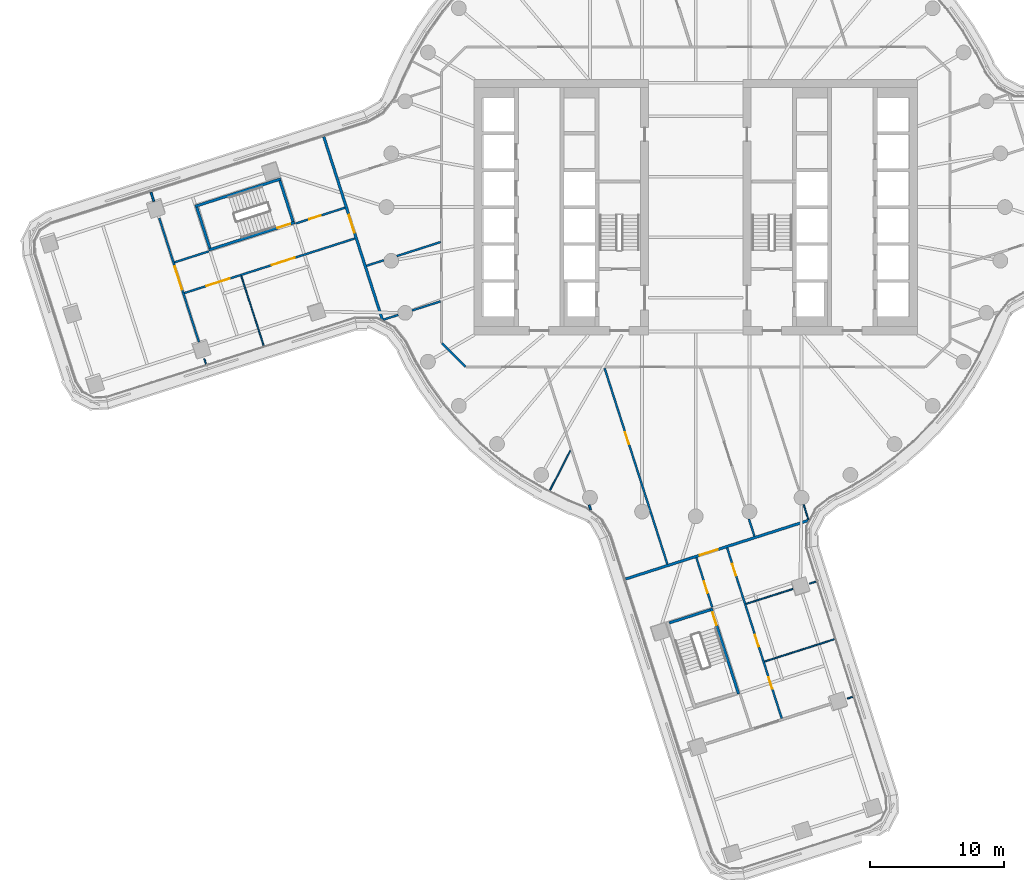
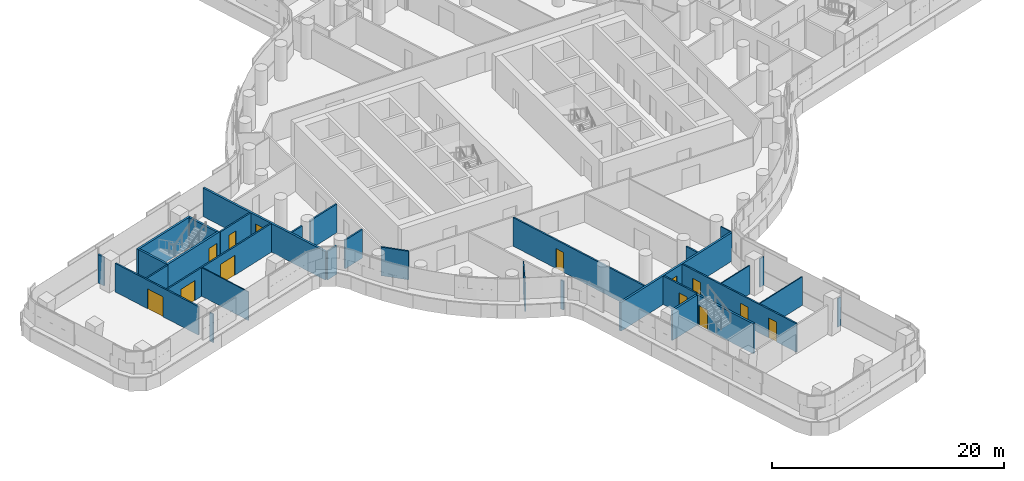
# One storey, part 18 of 30: 31 walls, 13 doors, 13 openings.
"""IFC4 building model written with IfcOpenShell, lengths in metres."""

import ifcopenshell
import ifcopenshell.guid

model = None  # the IFC model being written
_history = None  # IfcOwnerHistory: only IFC2X3 demands one
_inside = {}  # id of a spatial element -> (the spatial element, [elements in it])
_under = {}  # id of a project, library or spatial element -> (it, [spatial elements below it])
_declared = {}  # id of a project -> (the project, [libraries it declares])
_typed = {}  # id of a type object -> (the type object, [elements of that type])
_made_of = {}  # id of a material, layer set ... -> (it, [elements and type objects made of it])


def new_model(schema):
    """Start an empty IFC model of exactly this schema.

    Asked for "IFC4X3", IfcOpenShell would pick the latest addendum, in which some entities
    have other attributes; the version numbers below select the first issue.
    IFC2X3 requires an IfcOwnerHistory on every rooted entity: one is made here for all.
    """
    global model, _history
    if schema == "IFC4X3":
        model = ifcopenshell.file(schema_version=(4, 3, 0, 0))
    else:
        model = ifcopenshell.file(schema=schema)
    _inside.clear()
    _under.clear()
    _declared.clear()
    _typed.clear()
    _made_of.clear()
    _history = None
    if model.schema == "IFC2X3":
        org = make("IfcOrganization", Name="unknown")
        user = make(
            "IfcPersonAndOrganization",
            ThePerson=make("IfcPerson", FamilyName="unknown"),
            TheOrganization=org,
        )
        app = make(
            "IfcApplication",
            ApplicationDeveloper=org,
            Version="unknown",
            ApplicationFullName="unknown",
            ApplicationIdentifier="unknown",
        )
        _history = make(
            "IfcOwnerHistory",
            OwningUser=user,
            OwningApplication=app,
            ChangeAction="ADDED",
            CreationDate=0,
        )
    return model


def make(cls, **values):
    """One entity of the class cls with the attributes given. An attribute that is None is left unset."""
    return model.create_entity(
        cls, **{name: value for name, value in values.items() if value is not None}
    )


def rooted(cls, **values):
    """An entity with a GlobalId (a new one), such as an element, a storey or a relation."""
    return make(cls, GlobalId=ifcopenshell.guid.new(), OwnerHistory=_history, **values)


def si_unit(unit_type, name, prefix=None):
    """IfcSIUnit, for example si_unit("LENGTHUNIT", "METRE", prefix="MILLI")."""
    return make("IfcSIUnit", UnitType=unit_type, Prefix=prefix, Name=name)


def assignment(units):
    """IfcUnitAssignment: the units of a project."""
    return None if units is None else make("IfcUnitAssignment", Units=units)


def point(xyz):
    """IfcCartesianPoint."""
    return None if xyz is None else make("IfcCartesianPoint", Coordinates=xyz)


def direction(xyz):
    """IfcDirection."""
    return None if xyz is None else make("IfcDirection", DirectionRatios=xyz)


def frame(location, z_axis=None, x_axis=None):
    """IfcAxis2Placement3D, a coordinate frame: its origin and axes. An axis left out is left unset."""
    return make(
        "IfcAxis2Placement3D",
        Location=point(location),
        Axis=direction(z_axis),
        RefDirection=direction(x_axis),
    )


def frame_2d(location, x_axis=None):
    """IfcAxis2Placement2D, a coordinate frame in the plane: its origin and x axis."""
    return make(
        "IfcAxis2Placement2D", Location=point(location), RefDirection=direction(x_axis)
    )


def origin():
    """The frame at (0, 0, 0) with its axes left unset."""
    return frame((0.0, 0.0, 0.0))


def place(relative_to, where):
    """IfcLocalPlacement: puts the frame where relative to a parent placement (None: the world)."""
    return make(
        "IfcLocalPlacement", PlacementRelTo=relative_to, RelativePlacement=where
    )


def context(
    kind, dimensions, precision=None, world=None, true_north=None, identifier=None
):
    """IfcGeometricRepresentationContext, for example the 3D "Model" context."""
    return make(
        "IfcGeometricRepresentationContext",
        ContextIdentifier=identifier,
        ContextType=kind,
        CoordinateSpaceDimension=dimensions,
        Precision=precision,
        WorldCoordinateSystem=world,
        TrueNorth=true_north,
    )


def subcontext(parent, identifier, kind, view, scale=None):
    """IfcGeometricRepresentationSubContext, for example "Body" below "Model"."""
    return make(
        "IfcGeometricRepresentationSubContext",
        ContextIdentifier=identifier,
        ContextType=kind,
        ParentContext=parent,
        TargetScale=scale,
        TargetView=view,
    )


def project(units=None, contexts=None):
    """IfcProject with its units and contexts."""
    return rooted(
        "IfcProject",
        Name="project",
        RepresentationContexts=contexts,
        UnitsInContext=assignment(units),
    )


def spatial(cls, under=None, at=None, **own):
    """A site, building, storey or space (cls), placed at a placement, below another one or the project."""
    s = rooted(cls, ObjectPlacement=at, **own)
    if under is not None:
        _under.setdefault(under.id(), (under, []))[1].append(s)
    return s


def polyline(points):
    """IfcPolyline through the points."""
    return make("IfcPolyline", Points=[point(p) for p in points])


def profile(cls, at=None, kind="AREA", **sizes):
    """A parametric profile (cls). Its sizes go by their IFC names, for example OverallWidth=200.0."""
    return make(cls, ProfileType=kind, Position=at, **sizes)


def rectangle(**sizes):
    """IfcRectangleProfileDef."""
    return profile("IfcRectangleProfileDef", **sizes)


def outline(outer, holes=None, kind="AREA"):
    """IfcArbitraryClosedProfileDef: a profile drawn as a closed curve; with holes, ...WithVoids."""
    if holes is None:
        return make("IfcArbitraryClosedProfileDef", ProfileType=kind, OuterCurve=outer)
    return make(
        "IfcArbitraryProfileDefWithVoids",
        ProfileType=kind,
        OuterCurve=outer,
        InnerCurves=holes,
    )


def extrude(swept, where, along, depth):
    """IfcExtrudedAreaSolid: the profile swept, set in the frame where, extruded along a direction by depth."""
    return make(
        "IfcExtrudedAreaSolid",
        SweptArea=swept,
        Position=where,
        ExtrudedDirection=direction(along),
        Depth=depth,
    )


def shape(context_of_items, identifier, shape_type, items):
    """IfcShapeRepresentation: the items that make up one representation, for example the "Body"."""
    return make(
        "IfcShapeRepresentation",
        ContextOfItems=context_of_items,
        RepresentationIdentifier=identifier,
        RepresentationType=shape_type,
        Items=items,
    )


def material(Name=None, Category=None):
    """IfcMaterial."""
    return make("IfcMaterial", Name=Name, Category=Category)


def layer(
    of_material, thickness, ventilated=None, Name=None, Category=None, Priority=None
):
    """IfcMaterialLayer: one layer of a wall or slab, of a material (None: an air gap)."""
    return make(
        "IfcMaterialLayer",
        Material=of_material,
        LayerThickness=thickness,
        IsVentilated=ventilated,
        Name=Name,
        Category=Category,
        Priority=Priority,
    )


def layer_set(layers, Name=None):
    """IfcMaterialLayerSet."""
    return make("IfcMaterialLayerSet", MaterialLayers=layers, LayerSetName=Name)


def made_of(thing, what):
    """Note that an element or type object is made of a material, layer set ...; save() writes the relation."""
    if what is not None:
        _made_of.setdefault(what.id(), (what, []))[1].append(thing)
    return thing


def type_object(cls, material=None, **own):
    """A type object (cls), such as IfcWallType, which elements share."""
    return made_of(rooted(cls, **own), material)


def element(
    cls,
    number,
    at=None,
    inside=None,
    cuts=None,
    type_object=None,
    material=None,
    context=None,
    identifier="Body",
    shape_type=None,
    held_by="IfcProductDefinitionShape",
    body=None,
    shapes=None,
    **own,
):
    """One element of the class cls, such as IfcWall. Its Tag is "e" and its number.

    at: its placement. inside: the storey or other place that contains it. cuts: it is an
    opening in that element (IfcRelVoidsElement). A single representation is given by context,
    identifier, shape_type and body (its items); several are given by shapes. held_by: the class
    of the entity that holds the representations. save() writes the other relations.
    """
    e = rooted(cls, Tag="e%d" % number, ObjectPlacement=at, **own)
    if body is not None:
        shapes = [shape(context, identifier, shape_type, body)]
    if shapes is not None:
        e.Representation = make(held_by, Representations=shapes)
    if inside is not None:
        _inside.setdefault(inside.id(), (inside, []))[1].append(e)
    if cuts is not None:
        rooted(
            "IfcRelVoidsElement", RelatingBuildingElement=cuts, RelatedOpeningElement=e
        )
    if type_object is not None:
        _typed.setdefault(type_object.id(), (type_object, []))[1].append(e)
    return made_of(e, material)


def fill(opening, filler):
    """IfcRelFillsElement: the door or window that sits in an opening."""
    return rooted(
        "IfcRelFillsElement",
        RelatingOpeningElement=opening,
        RelatedBuildingElement=filler,
    )


def aggregate(whole, parts):
    """IfcRelAggregates: a whole, such as a stair, and the parts it consists of."""
    return rooted("IfcRelAggregates", RelatingObject=whole, RelatedObjects=parts)


def save(model, path):
    """Write the relations noted so far, then the file.

    IfcRelAggregates (storeys below a building ...), IfcRelContainedInSpatialStructure (elements
    in a storey), IfcRelDefinesByType, IfcRelAssociatesMaterial and IfcRelDeclares: one each for
    every whole, place, type object, material and project.
    """
    for whole, parts in _under.values():
        aggregate(whole, parts)
    for where, things in _inside.values():
        rooted(
            "IfcRelContainedInSpatialStructure",
            RelatedElements=things,
            RelatingStructure=where,
        )
    for kind, things in _typed.values():
        rooted("IfcRelDefinesByType", RelatedObjects=things, RelatingType=kind)
    for what, things in _made_of.values():
        rooted("IfcRelAssociatesMaterial", RelatedObjects=things, RelatingMaterial=what)
    for by, libraries in _declared.values():
        rooted("IfcRelDeclares", RelatingContext=by, RelatedDefinitions=libraries)
    model.write(path)


model = new_model("IFC4")

# Units and contexts
model_context = context("Model", 3, precision=1e-05, world=origin(), true_north=direction((0.0, 1.0)))
body_context = subcontext(model_context, "Body", "Model", "MODEL_VIEW")
ifc_project = project(units=[si_unit("LENGTHUNIT", "METRE"), si_unit("AREAUNIT", "SQUARE_METRE"), si_unit("VOLUMEUNIT", "CUBIC_METRE"), si_unit("PLANEANGLEUNIT", "RADIAN"), si_unit("MASSUNIT", "GRAM", prefix="KILO")], contexts=[model_context])

# Site, building, storey
site_placement = place(None, origin())
site = spatial("IfcSite", under=ifc_project, at=site_placement, CompositionType="ELEMENT")
building_placement = place(site_placement, origin())
building = spatial("IfcBuilding", under=site, at=building_placement, Name="Tamarind Cross Interchange Tower", CompositionType="ELEMENT")
storey_placement = place(building_placement, frame((0.0, 0.0, 98.5)))
storey = spatial("IfcBuildingStorey", under=building, at=storey_placement, Name="L23", CompositionType="ELEMENT", Elevation=98.5)

# Walls
ifc_material_1 = material(Name="Gypsum board partition on steel studs", Category="steel")
ifc_layer_1 = layer(ifc_material_1, 0.10009765625)
ifc_layer_set_1 = layer_set([ifc_layer_1], Name="Gypsum board partition on steel studs")
wall_type_1 = type_object("IfcWallType", Name="Partition 100 mm EI 90", PredefinedType="PARTITIONING", material=ifc_layer_set_1)
wall_1_placement = place(storey_placement, frame((-36.552734375, -11.27978515625, 0.0), z_axis=(0.0, 0.0, 1.0), x_axis=(0.305427554359, -0.952215316532, 0.0)))
element("IfcWall", 1, at=wall_1_placement, inside=storey, type_object=wall_type_1, Name="Partition L23-003", PredefinedType="PARTITIONING", context=body_context, shape_type="SweptSolid", body=[
    extrude(rectangle(XDim=0.40771484375, YDim=0.10009765625, at=frame_2d((0.203857421875, 0.0))), origin(), (0.0, 0.0, 1.0), 3.010009765625),
])
wall_2_placement = place(storey_placement, frame((-33.801025390625, -5.119384765625, 0.0), z_axis=(0.0, 0.0, 1.0), x_axis=(0.30504758376, -0.952337110294, 0.0)))
element("IfcWall", 2, at=wall_2_placement, inside=storey, type_object=wall_type_1, Name="Partition L23-004", PredefinedType="PARTITIONING", context=body_context, shape_type="SweptSolid", body=[
    extrude(rectangle(XDim=5.44140625, YDim=0.10009765625, at=frame_2d((2.720703125, 0.0))), origin(), (0.0, 0.0, 1.0), 3.010009765625),
])
wall_3_placement = place(storey_placement, frame((8.02197265625, -22.131103515625, 0.0), z_axis=(0.0, 0.0, 1.0), x_axis=(0.305122152519, -0.952313221604, 0.0)))
element("IfcWall", 3, at=wall_3_placement, inside=storey, type_object=wall_type_1, Name="Partition L23-025", PredefinedType="PARTITIONING", context=body_context, shape_type="SweptSolid", body=[
    extrude(rectangle(XDim=1.17626953125, YDim=0.10009765625, at=frame_2d((0.588134765625, 0.0))), origin(), (0.0, 0.0, 1.0), 3.010009765625),
])
wall_4_placement = place(storey_placement, frame((11.27978515625, -36.552734375, 0.0), z_axis=(0.0, 0.0, 1.0), x_axis=(0.952215316532, 0.305427554359, 0.0)))
element("IfcWall", 4, at=wall_4_placement, inside=storey, type_object=wall_type_1, Name="Partition L23-063", PredefinedType="PARTITIONING", context=body_context, shape_type="SweptSolid", body=[
    extrude(rectangle(XDim=0.40771484375, YDim=0.10009765625, at=frame_2d((0.203857421875, 0.0))), origin(), (0.0, 0.0, 1.0), 3.010009765625),
])
wall_5_placement = place(storey_placement, frame((3.746337890625, -29.51513671875, 0.0), z_axis=(0.0, 0.0, 1.0), x_axis=(0.952337113956, 0.305047572326, 0.0)))
element("IfcWall", 5, at=wall_5_placement, inside=storey, type_object=wall_type_1, Name="Partition L23-065", PredefinedType="PARTITIONING", context=body_context, shape_type="SweptSolid", body=[
    extrude(rectangle(XDim=3.6494140625, YDim=0.10009765625, at=frame_2d((1.82470703125, 0.0))), origin(), (0.0, 0.0, 1.0), 3.010009765625),
])
wall_6_placement = place(storey_placement, frame((8.4560546875, -28.006591796875, 0.0), z_axis=(0.0, 0.0, 1.0), x_axis=(0.952497435908, 0.304546604954, 0.0)))
element("IfcWall", 6, at=wall_6_placement, inside=storey, type_object=wall_type_1, Name="Partition L23-066", PredefinedType="PARTITIONING", context=body_context, shape_type="SweptSolid", body=[
    extrude(rectangle(XDim=0.502685546875, YDim=0.10009765625, at=frame_2d((0.25146484375, 0.0))), origin(), (0.0, 0.0, 1.0), 3.010009765625),
])
wall_7_placement = place(storey_placement, frame((5.119384765625, -33.801025390625, 0.0), z_axis=(0.0, 0.0, 1.0), x_axis=(0.952337110294, 0.30504758376, 0.0)))
element("IfcWall", 7, at=wall_7_placement, inside=storey, type_object=wall_type_1, Name="Partition L23-067", PredefinedType="PARTITIONING", context=body_context, shape_type="SweptSolid", body=[
    extrude(rectangle(XDim=5.44140625, YDim=0.10009765625, at=frame_2d((2.720703125, 0.0))), origin(), (0.0, 0.0, 1.0), 3.010009765625),
])
wall_8_placement = place(storey_placement, frame((-10.83837890625, -21.055908203125, 0.0), z_axis=(0.0, 0.0, 1.0), x_axis=(0.457634850464, 0.889140227209, 0.0)))
element("IfcWall", 8, at=wall_8_placement, inside=storey, type_object=wall_type_1, Name="Partition L23-080", PredefinedType="PARTITIONING", context=body_context, shape_type="SweptSolid", body=[
    extrude(rectangle(XDim=3.3076171875, YDim=0.10009765625, at=frame_2d((1.65380859375, 0.0))), origin(), (0.0, 0.0, 1.0), 3.010009765625),
])
ifc_layer_2 = layer(ifc_material_1, 0.14990234375)
ifc_layer_set_2 = layer_set([ifc_layer_2], Name="Gypsum board partition on steel studs")
wall_type_2 = type_object("IfcWallType", Name="Partition 150 mm EI 120", PredefinedType="PARTITIONING", material=ifc_layer_set_2)
wall_9_placement = place(storey_placement, frame((-40.518798828125, 1.102294921875, 0.0), z_axis=(0.0, 0.0, 1.0), x_axis=(0.304987336191, -0.952356406375, 0.0)))
element("IfcWall", 9, at=wall_9_placement, inside=storey, type_object=wall_type_2, Name="Partition L23-001", PredefinedType="PARTITIONING", context=body_context, shape_type="SweptSolid", body=[
    extrude(rectangle(XDim=0.711669921875, YDim=0.14990234375, at=frame_2d((0.35595703125, 0.0))), origin(), (0.0, 0.0, 1.0), 3.010009765625),
])

# Wall, opening, door
wall_10_placement = place(storey_placement, frame((-39.906494140625, -0.8095703125, 0.0), z_axis=(0.0, 0.0, 1.0), x_axis=(0.305051562445, -0.952335835853, 0.0)))
wall_10 = element("IfcWall", 10, at=wall_10_placement, inside=storey, type_object=wall_type_2, Name="Partition L23-002", PredefinedType="PARTITIONING", context=body_context, shape_type="SweptSolid", body=[
    extrude(rectangle(XDim=9.6982421875, YDim=0.14990234375, at=frame_2d((4.84912109375, 0.0))), origin(), (0.0, 0.0, 1.0), 3.010009765625),
])
opening_1_placement = place(wall_10_placement, frame((3.7919921875, 0.0, 0.0)))
opening_1 = element("IfcOpeningElement", 11, at=opening_1_placement, cuts=wall_10, Name="Opening D01", PredefinedType="OPENING", context=body_context, shape_type="SweptSolid", body=[
    extrude(rectangle(XDim=1.800048828125, YDim=2.10009765625, at=frame_2d((0.89990234375, 1.050048828125))), frame((0.0, 0.0849609375, 0.0), z_axis=(0.0, -1.0, 0.0), x_axis=(1.0, 0.0, 0.0)), (0.0, 0.0, 1.0), 0.169921875),
])
ifc_material_2 = material(Name="Fire-resisting door set")
door_type_1 = type_object("IfcDoorType", Name="Interior door 1800 x 2100 FD60S", OperationType="DOUBLE_DOOR_SINGLE_SWING", PredefinedType="DOOR", material=ifc_material_2)
door_1_placement = place(opening_1_placement, origin())
door_1 = element("IfcDoor", 12, at=door_1_placement, inside=storey, type_object=door_type_1, Name="Door D01", OperationType="DOUBLE_DOOR_SINGLE_SWING", OverallHeight=2.10009765625, OverallWidth=1.800048828125, PredefinedType="DOOR", context=body_context, shape_type="SweptSolid", body=[
    extrude(rectangle(XDim=1.800048828125, YDim=2.10009765625, at=frame_2d((0.89990234375, 1.050048828125))), frame((0.0, 0.02490234375, 0.0), z_axis=(0.0, -1.0, 0.0), x_axis=(1.0, 0.0, 0.0)), (0.0, 0.0, 1.0), 0.050048828125),
])
fill(opening_1, door_1)

# Wall
wall_11_placement = place(storey_placement, frame((-7.9296875, -22.156005859375, 0.0), z_axis=(0.0, 0.0, 1.0), x_axis=(0.305059532123, -0.952333282974, 0.0)))
element("IfcWall", 13, at=wall_11_placement, inside=storey, type_object=wall_type_2, Name="Partition L23-007", PredefinedType="PARTITIONING", context=body_context, shape_type="SweptSolid", body=[
    extrude(rectangle(XDim=0.37451171875, YDim=0.14990234375, at=frame_2d((0.187255859375, 0.0))), origin(), (0.0, 0.0, 1.0), 3.010009765625),
])

# Wall, opening, door
wall_12_placement = place(storey_placement, frame((-6.779052734375, -11.98095703125, 0.0), z_axis=(0.0, 0.0, 1.0), x_axis=(0.305006015104, -0.952350424345, 0.0)))
wall_12 = element("IfcWall", 14, at=wall_12_placement, inside=storey, type_object=wall_type_2, Name="Partition L23-011", PredefinedType="PARTITIONING", context=body_context, shape_type="SweptSolid", body=[
    extrude(rectangle(XDim=15.309326171875, YDim=0.14990234375, at=frame_2d((7.65478515625, 0.0))), origin(), (0.0, 0.0, 1.0), 3.010009765625),
])
opening_2_placement = place(wall_12_placement, frame((5.014892578125, 0.0, 0.0)))
opening_2 = element("IfcOpeningElement", 15, at=opening_2_placement, cuts=wall_12, Name="Opening D03", PredefinedType="OPENING", context=body_context, shape_type="SweptSolid", body=[
    extrude(rectangle(XDim=0.89990234375, YDim=2.10009765625, at=frame_2d((0.449951171875, 1.050048828125))), frame((0.0, 0.0849609375, 0.0), z_axis=(0.0, -1.0, 0.0), x_axis=(1.0, 0.0, 0.0)), (0.0, 0.0, 1.0), 0.169921875),
])
door_type_2 = type_object("IfcDoorType", Name="Interior door 900 x 2100 FD60S", OperationType="SINGLE_SWING_LEFT", PredefinedType="DOOR", material=ifc_material_2)
door_2_placement = place(opening_2_placement, frame((0.89990234375, 0.0, 0.0), z_axis=(0.0, 0.0, 1.0), x_axis=(-1.0, 0.0, 0.0)))
door_2 = element("IfcDoor", 16, at=door_2_placement, inside=storey, type_object=door_type_2, Name="Door D03", OperationType="SINGLE_SWING_LEFT", OverallHeight=2.10009765625, OverallWidth=0.89990234375, PredefinedType="DOOR", context=body_context, shape_type="SweptSolid", body=[
    extrude(rectangle(XDim=0.89990234375, YDim=2.10009765625, at=frame_2d((0.449951171875, 1.050048828125))), frame((0.0, 0.02490234375, 0.0), z_axis=(0.0, -1.0, 0.0), x_axis=(1.0, 0.0, 0.0)), (0.0, 0.0, 1.0), 0.050048828125),
])
fill(opening_2, door_2)

wall_13_placement = place(storey_placement, frame((0.04638671875, -26.080078125, 0.0), z_axis=(0.0, 0.0, 1.0), x_axis=(0.305259855227, -0.952269090534, 0.0)))
wall_13 = element("IfcWall", 17, at=wall_13_placement, inside=storey, type_object=wall_type_2, Name="Partition L23-017", PredefinedType="PARTITIONING", context=body_context, shape_type="SweptSolid", body=[
    extrude(rectangle(XDim=3.860595703125, YDim=0.14990234375, at=frame_2d((1.93017578125, 0.0))), origin(), (0.0, 0.0, 1.0), 3.010009765625),
])
opening_3_placement = place(wall_13_placement, frame((1.85009765625, 0.0, 0.0)))
opening_3 = element("IfcOpeningElement", 18, at=opening_3_placement, cuts=wall_13, Name="Opening D10", PredefinedType="OPENING", context=body_context, shape_type="SweptSolid", body=[
    extrude(rectangle(XDim=0.89990234375, YDim=2.10009765625, at=frame_2d((0.449951171875, 1.050048828125))), frame((0.0, 0.0849609375, 0.0), z_axis=(0.0, -1.0, 0.0), x_axis=(1.0, 0.0, 0.0)), (0.0, 0.0, 1.0), 0.169921875),
])
door_3_placement = place(opening_3_placement, frame((0.89990234375, 0.0, 0.0), z_axis=(0.0, 0.0, 1.0), x_axis=(-1.0, 0.0, 0.0)))
door_3 = element("IfcDoor", 19, at=door_3_placement, inside=storey, type_object=door_type_2, Name="Door D10", OperationType="SINGLE_SWING_RIGHT", OverallHeight=2.10009765625, OverallWidth=0.89990234375, PredefinedType="DOOR", context=body_context, shape_type="SweptSolid", body=[
    extrude(rectangle(XDim=0.89990234375, YDim=2.10009765625, at=frame_2d((0.449951171875, 1.050048828125))), frame((0.0, 0.02490234375, 0.0), z_axis=(0.0, -1.0, 0.0), x_axis=(1.0, 0.0, 0.0)), (0.0, 0.0, 1.0), 0.050048828125),
])
fill(opening_3, door_3)

# Wall
wall_14_placement = place(storey_placement, frame((3.954345703125, -23.199951171875, 0.0), z_axis=(0.0, 0.0, 1.0), x_axis=(0.305052101586, -0.952335663156, 0.0)))
element("IfcWall", 20, at=wall_14_placement, inside=storey, type_object=wall_type_2, Name="Partition L23-020", PredefinedType="PARTITIONING", context=body_context, shape_type="SweptSolid", body=[
    extrude(rectangle(XDim=1.34619140625, YDim=0.14990234375, at=frame_2d((0.673095703125, 0.0))), origin(), (0.0, 0.0, 1.0), 3.010009765625),
])

# Wall, openings, doors
wall_15_placement = place(storey_placement, frame((2.33251953125, -25.34814453125, 0.0), z_axis=(0.0, 0.0, 1.0), x_axis=(0.305052946546, -0.952335392498, 0.0)))
wall_15 = element("IfcWall", 21, at=wall_15_placement, inside=storey, type_object=wall_type_2, Name="Partition L23-022", PredefinedType="PARTITIONING", context=body_context, shape_type="SweptSolid", body=[
    extrude(rectangle(XDim=13.324462890625, YDim=0.14990234375, at=frame_2d((6.662109375, 0.0))), origin(), (0.0, 0.0, 1.0), 3.010009765625),
])
opening_4_placement = place(wall_15_placement, frame((1.25, 0.0, 0.0)))
opening_4 = element("IfcOpeningElement", 22, at=opening_4_placement, cuts=wall_15, Name="Opening D13", PredefinedType="OPENING", context=body_context, shape_type="SweptSolid", body=[
    extrude(rectangle(XDim=0.89990234375, YDim=2.10009765625, at=frame_2d((0.449951171875, 1.050048828125))), frame((0.0, 0.0849609375, 0.0), z_axis=(0.0, -1.0, 0.0), x_axis=(1.0, 0.0, 0.0)), (0.0, 0.0, 1.0), 0.169921875),
])
opening_5_placement = place(wall_15_placement, frame((6.799560546875, 0.0, 0.0)))
opening_5 = element("IfcOpeningElement", 23, at=opening_5_placement, cuts=wall_15, Name="Opening D14", PredefinedType="OPENING", context=body_context, shape_type="SweptSolid", body=[
    extrude(rectangle(XDim=0.89990234375, YDim=2.10009765625, at=frame_2d((0.449951171875, 1.050048828125))), frame((0.0, 0.0849609375, 0.0), z_axis=(0.0, -1.0, 0.0), x_axis=(1.0, 0.0, 0.0)), (0.0, 0.0, 1.0), 0.169921875),
])
opening_6_placement = place(wall_15_placement, frame((10.10009765625, 0.0, 0.0)))
opening_6 = element("IfcOpeningElement", 24, at=opening_6_placement, cuts=wall_15, Name="Opening D15", PredefinedType="OPENING", context=body_context, shape_type="SweptSolid", body=[
    extrude(rectangle(XDim=0.89990234375, YDim=2.10009765625, at=frame_2d((0.449951171875, 1.050048828125))), frame((0.0, 0.0849609375, 0.0), z_axis=(0.0, -1.0, 0.0), x_axis=(1.0, 0.0, 0.0)), (0.0, 0.0, 1.0), 0.169921875),
])
door_4_placement = place(opening_4_placement, origin())
door_4 = element("IfcDoor", 25, at=door_4_placement, inside=storey, type_object=door_type_2, Name="Door D13", OperationType="SINGLE_SWING_RIGHT", OverallHeight=2.10009765625, OverallWidth=0.89990234375, PredefinedType="DOOR", context=body_context, shape_type="SweptSolid", body=[
    extrude(rectangle(XDim=0.89990234375, YDim=2.10009765625, at=frame_2d((0.449951171875, 1.050048828125))), frame((0.0, 0.02490234375, 0.0), z_axis=(0.0, -1.0, 0.0), x_axis=(1.0, 0.0, 0.0)), (0.0, 0.0, 1.0), 0.050048828125),
])
fill(opening_4, door_4)
door_5_placement = place(opening_5_placement, origin())
door_5 = element("IfcDoor", 26, at=door_5_placement, inside=storey, type_object=door_type_2, Name="Door D14", OperationType="SINGLE_SWING_LEFT", OverallHeight=2.10009765625, OverallWidth=0.89990234375, PredefinedType="DOOR", context=body_context, shape_type="SweptSolid", body=[
    extrude(rectangle(XDim=0.89990234375, YDim=2.10009765625, at=frame_2d((0.449951171875, 1.050048828125))), frame((0.0, 0.02490234375, 0.0), z_axis=(0.0, -1.0, 0.0), x_axis=(1.0, 0.0, 0.0)), (0.0, 0.0, 1.0), 0.050048828125),
])
fill(opening_5, door_5)
door_6_placement = place(opening_6_placement, origin())
door_6 = element("IfcDoor", 27, at=door_6_placement, inside=storey, type_object=door_type_2, Name="Door D15", OperationType="SINGLE_SWING_LEFT", OverallHeight=2.10009765625, OverallWidth=0.89990234375, PredefinedType="DOOR", context=body_context, shape_type="SweptSolid", body=[
    extrude(rectangle(XDim=0.89990234375, YDim=2.10009765625, at=frame_2d((0.449951171875, 1.050048828125))), frame((0.0, 0.02490234375, 0.0), z_axis=(0.0, -1.0, 0.0), x_axis=(1.0, 0.0, 0.0)), (0.0, 0.0, 1.0), 0.050048828125),
])
fill(opening_6, door_6)

# Walls
wall_16_placement = place(storey_placement, frame((-18.87158203125, -10.12841796875, 0.0), z_axis=(0.0, 0.0, 1.0), x_axis=(0.707106781187, -0.707106781187, 0.0)))
element("IfcWall", 28, at=wall_16_placement, inside=storey, type_object=wall_type_2, Name="Partition L23-037", PredefinedType="PARTITIONING", context=body_context, shape_type="SweptSolid", body=[
    extrude(rectangle(XDim=2.465087890625, YDim=0.14990234375, at=frame_2d((1.232421875, 0.0))), origin(), (0.0, 0.0, 1.0), 3.010009765625),
])
wall_17_placement = place(storey_placement, frame((-38.76953125, -4.112060546875, 0.0), z_axis=(0.0, 0.0, 1.0), x_axis=(0.952336483102, 0.3050495418, 0.0)))
element("IfcWall", 29, at=wall_17_placement, inside=storey, type_object=wall_type_2, Name="Partition L23-043", PredefinedType="PARTITIONING", context=body_context, shape_type="SweptSolid", body=[
    extrude(rectangle(XDim=2.68505859375, YDim=0.14990234375, at=frame_2d((1.342529296875, 0.0))), origin(), (0.0, 0.0, 1.0), 3.010009765625),
])

# Wall, opening, door
wall_18_placement = place(storey_placement, frame((-29.756591796875, -1.224365234375, 0.0), z_axis=(0.0, 0.0, 1.0), x_axis=(0.952311739707, 0.305126777614, 0.0)))
wall_18 = element("IfcWall", 30, at=wall_18_placement, inside=storey, type_object=wall_type_2, Name="Partition L23-044", PredefinedType="PARTITIONING", context=body_context, shape_type="SweptSolid", body=[
    extrude(rectangle(XDim=3.860595703125, YDim=0.14990234375, at=frame_2d((1.93017578125, 0.0))), origin(), (0.0, 0.0, 1.0), 3.010009765625),
])
opening_7_placement = place(wall_18_placement, frame((1.050048828125, 0.0, 0.0)))
opening_7 = element("IfcOpeningElement", 31, at=opening_7_placement, cuts=wall_18, Name="Opening D25", PredefinedType="OPENING", context=body_context, shape_type="SweptSolid", body=[
    extrude(rectangle(XDim=0.89990234375, YDim=2.10009765625, at=frame_2d((0.449951171875, 1.050048828125))), frame((0.0, 0.0849609375, 0.0), z_axis=(0.0, -1.0, 0.0), x_axis=(1.0, 0.0, 0.0)), (0.0, 0.0, 1.0), 0.169921875),
])
door_7_placement = place(opening_7_placement, origin())
door_7 = element("IfcDoor", 32, at=door_7_placement, inside=storey, type_object=door_type_2, Name="Door D25", OperationType="SINGLE_SWING_RIGHT", OverallHeight=2.10009765625, OverallWidth=0.89990234375, PredefinedType="DOOR", context=body_context, shape_type="SweptSolid", body=[
    extrude(rectangle(XDim=0.89990234375, YDim=2.10009765625, at=frame_2d((0.449951171875, 1.050048828125))), frame((0.0, 0.02490234375, 0.0), z_axis=(0.0, -1.0, 0.0), x_axis=(1.0, 0.0, 0.0)), (0.0, 0.0, 1.0), 0.050048828125),
])
fill(opening_7, door_7)

# Wall, openings, doors
wall_19_placement = place(storey_placement, frame((-38.03759765625, -6.397216796875, 0.0), z_axis=(0.0, 0.0, 1.0), x_axis=(0.952370733847, 0.30494259347, 0.0)))
wall_19 = element("IfcWall", 33, at=wall_19_placement, inside=storey, type_object=wall_type_2, Name="Partition L23-045", PredefinedType="PARTITIONING", context=body_context, shape_type="SweptSolid", body=[
    extrude(rectangle(XDim=13.324462890625, YDim=0.14990234375, at=frame_2d((6.662109375, 0.0))), origin(), (0.0, 0.0, 1.0), 3.010009765625),
])
opening_8_placement = place(wall_19_placement, frame((6.82421875, 0.0, 0.0)))
opening_8 = element("IfcOpeningElement", 34, at=opening_8_placement, cuts=wall_19, Name="Opening D26", PredefinedType="OPENING", context=body_context, shape_type="SweptSolid", body=[
    extrude(rectangle(XDim=1.800048828125, YDim=2.10009765625, at=frame_2d((0.89990234375, 1.050048828125))), frame((0.0, 0.0849609375, 0.0), z_axis=(0.0, -1.0, 0.0), x_axis=(1.0, 0.0, 0.0)), (0.0, 0.0, 1.0), 0.169921875),
])
opening_9_placement = place(wall_19_placement, frame((1.72509765625, 0.0, 0.0)))
opening_9 = element("IfcOpeningElement", 35, at=opening_9_placement, cuts=wall_19, Name="Opening D27", PredefinedType="OPENING", context=body_context, shape_type="SweptSolid", body=[
    extrude(rectangle(XDim=1.800048828125, YDim=2.10009765625, at=frame_2d((0.89990234375, 1.050048828125))), frame((0.0, 0.0849609375, 0.0), z_axis=(0.0, -1.0, 0.0), x_axis=(1.0, 0.0, 0.0)), (0.0, 0.0, 1.0), 0.169921875),
])
door_8_placement = place(opening_8_placement, frame((1.800048828125, 0.0, 0.0), z_axis=(0.0, 0.0, 1.0), x_axis=(-1.0, 0.0, 0.0)))
door_8 = element("IfcDoor", 36, at=door_8_placement, inside=storey, type_object=door_type_1, Name="Door D26", OperationType="DOUBLE_DOOR_SINGLE_SWING", OverallHeight=2.10009765625, OverallWidth=1.800048828125, PredefinedType="DOOR", context=body_context, shape_type="SweptSolid", body=[
    extrude(rectangle(XDim=1.800048828125, YDim=2.10009765625, at=frame_2d((0.89990234375, 1.050048828125))), frame((0.0, 0.02490234375, 0.0), z_axis=(0.0, -1.0, 0.0), x_axis=(1.0, 0.0, 0.0)), (0.0, 0.0, 1.0), 0.050048828125),
])
fill(opening_8, door_8)
door_9_placement = place(opening_9_placement, frame((1.800048828125, 0.0, 0.0), z_axis=(0.0, 0.0, 1.0), x_axis=(-1.0, 0.0, 0.0)))
door_9 = element("IfcDoor", 37, at=door_9_placement, inside=storey, type_object=door_type_1, Name="Door D27", OperationType="DOUBLE_DOOR_SINGLE_SWING", OverallHeight=2.10009765625, OverallWidth=1.800048828125, PredefinedType="DOOR", context=body_context, shape_type="SweptSolid", body=[
    extrude(rectangle(XDim=1.800048828125, YDim=2.10009765625, at=frame_2d((0.89990234375, 1.050048828125))), frame((0.0, 0.02490234375, 0.0), z_axis=(0.0, -1.0, 0.0), x_axis=(1.0, 0.0, 0.0)), (0.0, 0.0, 1.0), 0.050048828125),
])
fill(opening_9, door_9)

# Walls
wall_20_placement = place(storey_placement, frame((-24.48193359375, -4.364990234375, 0.0), z_axis=(0.0, 0.0, 1.0), x_axis=(0.952335663156, 0.305052101586, 0.0)))
element("IfcWall", 38, at=wall_20_placement, inside=storey, type_object=wall_type_2, Name="Partition L23-047", PredefinedType="PARTITIONING", context=body_context, shape_type="SweptSolid", body=[
    extrude(rectangle(XDim=1.34619140625, YDim=0.14990234375, at=frame_2d((0.673095703125, 0.0))), origin(), (0.0, 0.0, 1.0), 3.010009765625),
])
wall_21_placement = place(storey_placement, frame((-22.234619140625, -3.64501953125, 0.0), z_axis=(0.0, 0.0, 1.0), x_axis=(0.952333666631, 0.305058334423, 0.0)))
element("IfcWall", 39, at=wall_21_placement, inside=storey, type_object=wall_type_2, Name="Partition L23-048", PredefinedType="PARTITIONING", context=body_context, shape_type="SweptSolid", body=[
    extrude(rectangle(XDim=3.41650390625, YDim=0.14990234375, at=frame_2d((1.708251953125, 0.0))), origin(), (0.0, 0.0, 1.0), 3.010009765625),
])
wall_22_placement = place(storey_placement, frame((-23.251220703125, -8.380859375, 0.0), z_axis=(0.0, 0.0, 1.0), x_axis=(0.952293891568, 0.305182476696, 0.0)))
element("IfcWall", 40, at=wall_22_placement, inside=storey, type_object=wall_type_2, Name="Partition L23-049", PredefinedType="PARTITIONING", context=body_context, shape_type="SweptSolid", body=[
    extrude(rectangle(XDim=1.176025390625, YDim=0.14990234375, at=frame_2d((0.587890625, 0.0))), origin(), (0.0, 0.0, 1.0), 3.010009765625),
])
wall_23_placement = place(storey_placement, frame((-21.099853515625, -7.691650390625, 0.0), z_axis=(0.0, 0.0, 1.0), x_axis=(0.952337472226, 0.30504645383, 0.0)))
element("IfcWall", 41, at=wall_23_placement, inside=storey, type_object=wall_type_2, Name="Partition L23-050", PredefinedType="PARTITIONING", context=body_context, shape_type="SweptSolid", body=[
    extrude(rectangle(XDim=2.224853515625, YDim=0.14990234375, at=frame_2d((1.1123046875, 0.0))), origin(), (0.0, 0.0, 1.0), 3.010009765625),
])

# Wall, opening, door
ifc_layer_3 = layer(ifc_material_1, 0.199951171875)
ifc_layer_set_3 = layer_set([ifc_layer_3], Name="Gypsum board partition on steel studs")
wall_type_3 = type_object("IfcWallType", Name="Partition 200 mm EI 180", PredefinedType="PARTITIONING", material=ifc_layer_set_3)
wall_24_placement = place(storey_placement, frame((-27.662841796875, 5.220458984375, 0.0), z_axis=(0.0, 0.0, 1.0), x_axis=(0.305127633137, -0.952311465591, 0.0)))
wall_24 = element("IfcWall", 42, at=wall_24_placement, inside=storey, type_object=wall_type_3, Name="Partition L23-005", PredefinedType="PARTITIONING", context=body_context, shape_type="SweptSolid", body=[
    extrude(rectangle(XDim=14.2470703125, YDim=0.199951171875, at=frame_2d((7.12353515625, 0.0))), origin(), (0.0, 0.0, 1.0), 3.010009765625),
])
opening_10_placement = place(wall_24_placement, frame((6.0986328125, 0.0, 0.0)))
opening_10 = element("IfcOpeningElement", 43, at=opening_10_placement, cuts=wall_24, Name="Opening D02", PredefinedType="OPENING", context=body_context, shape_type="SweptSolid", body=[
    extrude(rectangle(XDim=1.39990234375, YDim=2.10009765625, at=frame_2d((0.699951171875, 1.050048828125))), frame((0.0, 0.10986328125, 0.0), z_axis=(0.0, -1.0, 0.0), x_axis=(1.0, 0.0, 0.0)), (0.0, 0.0, 1.0), 0.219970703125),
])
door_type_3 = type_object("IfcDoorType", Name="Interior door 1400 x 2100 FD120S", OperationType="DOUBLE_DOOR_SINGLE_SWING", PredefinedType="DOOR", material=ifc_material_2)
door_10_placement = place(opening_10_placement, origin())
door_10 = element("IfcDoor", 44, at=door_10_placement, inside=storey, type_object=door_type_3, Name="Door D02", OperationType="DOUBLE_DOOR_SINGLE_SWING", OverallHeight=2.10009765625, OverallWidth=1.39990234375, PredefinedType="DOOR", context=body_context, shape_type="SweptSolid", body=[
    extrude(rectangle(XDim=1.39990234375, YDim=2.10009765625, at=frame_2d((0.699951171875, 1.050048828125))), frame((0.0, 0.02490234375, 0.0), z_axis=(0.0, -1.0, 0.0), x_axis=(1.0, 0.0, 0.0)), (0.0, 0.0, 1.0), 0.050048828125),
])
fill(opening_10, door_10)

wall_25_placement = place(storey_placement, frame((-5.220458984375, -27.662841796875, 0.0), z_axis=(0.0, 0.0, 1.0), x_axis=(0.952311465591, 0.305127633137, 0.0)))
wall_25 = element("IfcWall", 45, at=wall_25_placement, inside=storey, type_object=wall_type_3, Name="Partition L23-058", PredefinedType="PARTITIONING", context=body_context, shape_type="SweptSolid", body=[
    extrude(rectangle(XDim=14.2470703125, YDim=0.199951171875, at=frame_2d((7.12353515625, 0.0))), origin(), (0.0, 0.0, 1.0), 3.010009765625),
])
opening_11_placement = place(wall_25_placement, frame((5.798583984375, 0.0, 0.0)))
opening_11 = element("IfcOpeningElement", 46, at=opening_11_placement, cuts=wall_25, Name="Opening D32", PredefinedType="OPENING", context=body_context, shape_type="SweptSolid", body=[
    extrude(rectangle(XDim=1.39990234375, YDim=2.10009765625, at=frame_2d((0.699951171875, 1.050048828125))), frame((0.0, 0.10986328125, 0.0), z_axis=(0.0, -1.0, 0.0), x_axis=(1.0, 0.0, 0.0)), (0.0, 0.0, 1.0), 0.219970703125),
])
door_11_placement = place(opening_11_placement, origin())
door_11 = element("IfcDoor", 47, at=door_11_placement, inside=storey, type_object=door_type_3, Name="Door D32", OperationType="DOUBLE_DOOR_SINGLE_SWING", OverallHeight=2.10009765625, OverallWidth=1.39990234375, PredefinedType="DOOR", context=body_context, shape_type="SweptSolid", body=[
    extrude(rectangle(XDim=1.39990234375, YDim=2.10009765625, at=frame_2d((0.699951171875, 1.050048828125))), frame((0.0, 0.02490234375, 0.0), z_axis=(0.0, -1.0, 0.0), x_axis=(1.0, 0.0, 0.0)), (0.0, 0.0, 1.0), 0.050048828125),
])
fill(opening_11, door_11)

ifc_material_3 = material(Name="Concrete C40", Category="concrete")
ifc_layer_4 = layer(ifc_material_3, 0.199951171875)
ifc_layer_set_4 = layer_set([ifc_layer_4], Name="Concrete C40")
wall_type_4 = type_object("IfcWallType", Name="Stair shaft wall 200 mm Concrete C40", PredefinedType="SHEAR", material=ifc_layer_set_4)
wall_26_placement = place(storey_placement, frame((-29.82470703125, -1.141357421875, -0.139892578125), z_axis=(0.0, 0.0, 1.0), x_axis=(-0.952331022246, -0.305066589564, 0.0)))
wall_26 = element("IfcWall", 48, at=wall_26_placement, inside=storey, type_object=wall_type_4, Name="Core wall CWL-L23-ST5-H", PredefinedType="SHEAR", context=body_context, shape_type="SweptSolid", body=[
    extrude(rectangle(XDim=6.699951171875, YDim=0.199951171875, at=frame_2d((3.35009765625, 0.0))), origin(), (0.0, 0.0, 1.0), 3.14990234375),
])
opening_12_placement = place(wall_26_placement, frame((0.35009765625, 0.0, 0.0)))
opening_12 = element("IfcOpeningElement", 49, at=opening_12_placement, cuts=wall_26, Name="Opening ST5L23", PredefinedType="OPENING", context=body_context, shape_type="SweptSolid", body=[
    extrude(rectangle(XDim=1.0, YDim=2.10009765625, at=frame_2d((0.5, 1.050048828125))), frame((0.0, 0.10986328125, 0.0), z_axis=(0.0, -1.0, 0.0), x_axis=(1.0, 0.0, 0.0)), (0.0, 0.0, 1.0), 0.219970703125),
])
ifc_material_4 = material(Name="Steel, fire-resisting", Category="steel")
door_type_4 = type_object("IfcDoorType", Name="Core fire door 1000 x 2100 FD90", OperationType="SINGLE_SWING_LEFT", PredefinedType="DOOR", material=ifc_material_4)
door_12_placement = place(opening_12_placement, origin())
door_12 = element("IfcDoor", 50, at=door_12_placement, inside=storey, type_object=door_type_4, Name="L23 stair door ST5", OperationType="SINGLE_SWING_LEFT", OverallHeight=2.10009765625, OverallWidth=1.0, PredefinedType="DOOR", context=body_context, shape_type="SweptSolid", body=[
    extrude(rectangle(XDim=1.0, YDim=2.10009765625, at=frame_2d((0.5, 1.050048828125))), frame((0.0, 0.02490234375, 0.0), z_axis=(0.0, -1.0, 0.0), x_axis=(1.0, 0.0, 0.0)), (0.0, 0.0, 1.0), 0.050048828125),
])
fill(opening_12, door_12)

# Walls
wall_27_placement = place(storey_placement, frame((-30.862060546875, 2.096435546875, -0.139892578125), z_axis=(0.0, 0.0, 1.0), x_axis=(-0.952331022246, -0.305066589564, 0.0)))
element("IfcWall", 51, at=wall_27_placement, inside=storey, type_object=wall_type_4, Name="Core wall CWL-L23-ST5-C", PredefinedType="SHEAR", context=body_context, shape_type="SweptSolid", body=[
    extrude(rectangle(XDim=6.699951171875, YDim=0.199951171875, at=frame_2d((3.35009765625, 0.0))), origin(), (0.0, 0.0, 1.0), 3.14990234375),
])
wall_28_placement = place(storey_placement, frame((-30.9267578125, 1.970703125, -0.139892578125), z_axis=(0.0, 0.0, 1.0), x_axis=(0.305105140938, -0.952318671965, 0.0)))
element("IfcWall", 52, at=wall_28_placement, inside=storey, type_object=wall_type_4, Name="Core wall CWL-L23-ST5-CE", PredefinedType="SHEAR", context=body_context, shape_type="SweptSolid", body=[
    extrude(rectangle(XDim=3.199951171875, YDim=0.199951171875, at=frame_2d((1.60009765625, 0.0))), origin(), (0.0, 0.0, 1.0), 3.14990234375),
])
wall_29_placement = place(storey_placement, frame((0.0, 0.0, -0.139892578125)))
element("IfcWall", 53, at=wall_29_placement, inside=storey, type_object=wall_type_4, Name="Core wall CWL-L23-ST5-CF", PredefinedType="SHEAR", context=body_context, shape_type="SweptSolid", body=[
    extrude(outline(polyline([(-37.021484375, 0.018310546875), (-37.212158203125, -0.04248046875), (-36.23583984375, -3.090087890625), (-36.04541015625, -3.029052734375), (-37.021484375, 0.018310546875)])), origin(), (0.0, 0.0, 1.0), 3.14990234375),
])

# Wall, opening, door
wall_30_placement = place(storey_placement, frame((1.141357421875, -29.82470703125, -0.139892578125), z_axis=(0.0, 0.0, 1.0), x_axis=(0.305066589564, -0.952331022246, 0.0)))
wall_30 = element("IfcWall", 54, at=wall_30_placement, inside=storey, type_object=wall_type_4, Name="Core wall CWL-L23-ST6-H", PredefinedType="SHEAR", context=body_context, shape_type="SweptSolid", body=[
    extrude(rectangle(XDim=6.699951171875, YDim=0.199951171875, at=frame_2d((3.35009765625, 0.0))), origin(), (0.0, 0.0, 1.0), 3.14990234375),
])
opening_13_placement = place(wall_30_placement, frame((0.35009765625, 0.0, 0.0)))
opening_13 = element("IfcOpeningElement", 55, at=opening_13_placement, cuts=wall_30, Name="Opening ST6L23", PredefinedType="OPENING", context=body_context, shape_type="SweptSolid", body=[
    extrude(rectangle(XDim=1.0, YDim=2.10009765625, at=frame_2d((0.5, 1.050048828125))), frame((0.0, 0.10986328125, 0.0), z_axis=(0.0, -1.0, 0.0), x_axis=(1.0, 0.0, 0.0)), (0.0, 0.0, 1.0), 0.219970703125),
])
door_13_placement = place(opening_13_placement, origin())
door_13 = element("IfcDoor", 56, at=door_13_placement, inside=storey, type_object=door_type_4, Name="L23 stair door ST6", OperationType="SINGLE_SWING_LEFT", OverallHeight=2.10009765625, OverallWidth=1.0, PredefinedType="DOOR", context=body_context, shape_type="SweptSolid", body=[
    extrude(rectangle(XDim=1.0, YDim=2.10009765625, at=frame_2d((0.5, 1.050048828125))), frame((0.0, 0.02490234375, 0.0), z_axis=(0.0, -1.0, 0.0), x_axis=(1.0, 0.0, 0.0)), (0.0, 0.0, 1.0), 0.050048828125),
])
fill(opening_13, door_13)

# Wall
wall_31_placement = place(storey_placement, frame((-1.970703125, -30.9267578125, -0.139892578125), z_axis=(0.0, 0.0, 1.0), x_axis=(0.952318671965, 0.305105140938, 0.0)))
element("IfcWall", 57, at=wall_31_placement, inside=storey, type_object=wall_type_4, Name="Core wall CWL-L23-ST6-CE", PredefinedType="SHEAR", context=body_context, shape_type="SweptSolid", body=[
    extrude(rectangle(XDim=3.199951171875, YDim=0.199951171875, at=frame_2d((1.60009765625, 0.0))), origin(), (0.0, 0.0, 1.0), 3.14990234375),
])

save(model, "model.ifc")
